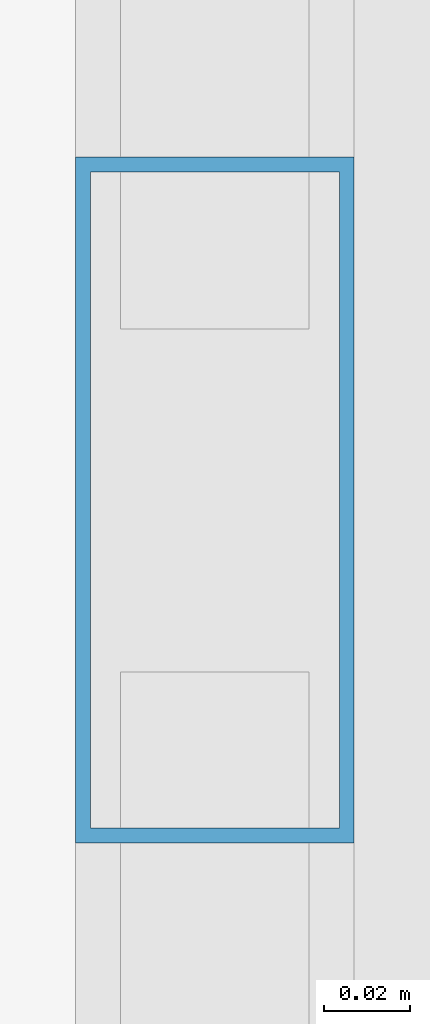
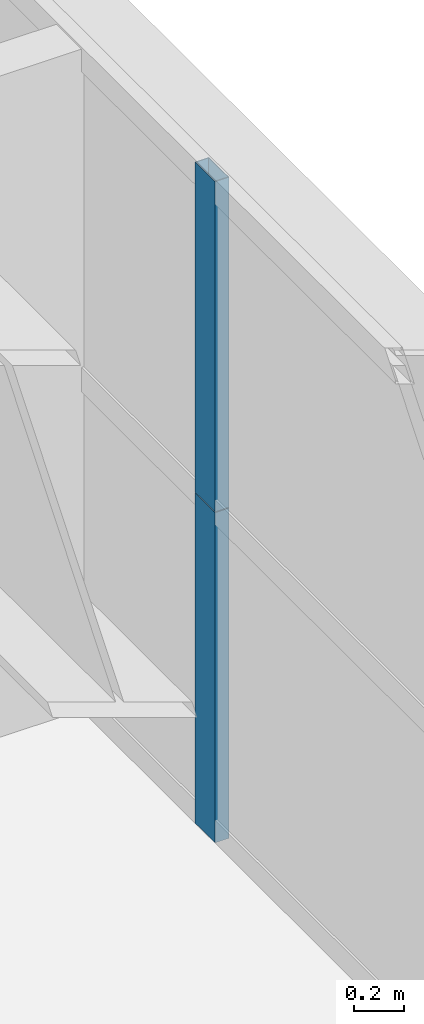
# One storey, part 18 of 39: 2 members, 1 element without a shape of its own.
"""IFC4 building model written with IfcOpenShell, lengths in metres."""

from ifc_helpers import new_model, si_unit, direction, frame, origin, origin_2d, place, context, subcontext, project, spatial, hollow_rectangle, extrude, source, transform, mapped, material, layer, layer_set, material_profile, profile_set, type_object, element, aggregate, save


model = new_model("IFC4")

# Units and contexts
model_context = context("Model", 3, precision=1e-05, world=origin(), true_north=direction((0.0, 1.0)))
body_context = subcontext(model_context, "Body", "Model", "MODEL_VIEW")
ifc_project = project(units=[si_unit("LENGTHUNIT", "METRE"), si_unit("AREAUNIT", "SQUARE_METRE"), si_unit("VOLUMEUNIT", "CUBIC_METRE"), si_unit("PLANEANGLEUNIT", "RADIAN"), si_unit("MASSUNIT", "GRAM", prefix="KILO"), si_unit("THERMODYNAMICTEMPERATUREUNIT", "KELVIN"), si_unit("POWERUNIT", "WATT")], contexts=[model_context])

# Site, building, storey
site_placement = place(None, origin())
site = spatial("IfcSite", under=ifc_project, at=site_placement, CompositionType="ELEMENT")
building_placement = place(site_placement, origin())
building = spatial("IfcBuilding", under=site, at=building_placement, Name="Yuzanri Waterfront Tower", CompositionType="ELEMENT")
storey_placement = place(building_placement, frame((0.0, 0.0, 216.0)))
storey = spatial("IfcBuildingStorey", under=building, at=storey_placement, Name="L57", CompositionType="ELEMENT", Elevation=216.0)

# Curtain wall, members
ifc_material_1 = material(Name="Anodized Architectural Bronze", Category="metal")
ifc_layer = layer(ifc_material_1, 0.159912109375)
ifc_layer_set = layer_set([ifc_layer], Name="Anodized Architectural Bronze")
curtain_wall_type = type_object("IfcCurtainWallType", Name="Anodized Bronze Mid-Rise Residential Acoustic Unitized Curtain Wall 7200", PredefinedType="NOTDEFINED", material=ifc_layer_set)
curtain_wall_placement = place(storey_placement, origin())
curtain_wall = element("IfcCurtainWall", 1, at=curtain_wall_placement, inside=storey, type_object=curtain_wall_type, Name="L57 Curtain Wall CW-L57-EL", PredefinedType="NOTDEFINED")
ifc_material_2 = material(Name="Anodized Architectural Bronze", Category="metal")
ifc_material_profile = material_profile(ifc_material_2, hollow_rectangle(XDim=0.06494140625, YDim=0.159912109375, WallThickness=0.00341796875, at=origin_2d()), Name="CWM 65x160")
ifc_profile_set = profile_set([ifc_material_profile], Name="Anodized Architectural Bronze")
member_type = type_object("IfcMemberType", Name="Anodized Bronze Upper-Zone Curtain-Wall Mullion 65x160", PredefinedType="MULLION", material=ifc_profile_set)
shared_shape = source(origin(), body_context, "Body", "SweptSolid", [
    extrude(hollow_rectangle(XDim=0.06494140625, YDim=0.159912109375, WallThickness=0.00341796875, at=origin_2d()), origin(), (0.0, 0.0, 1.0), 1.60791015625),
])
member_1_placement = place(storey_placement, frame((58.949951171875, 18.22509765625, 0.0), z_axis=(0.0, 0.0, 1.0), x_axis=(1.0, 0.0, 0.0)))
member_1 = element("IfcMember", 2, at=member_1_placement, type_object=member_type, Name="CW-L57-EL Lower Mullion 01", PredefinedType="MULLION", context=body_context, shape_type="MappedRepresentation", body=[
    mapped(shared_shape, transform((0.0, 0.0, 0.0), scale=1.0)),
])
member_2_placement = place(storey_placement, frame((58.949951171875, 18.22509765625, 1.612060546875), z_axis=(0.0, 0.0, 1.0), x_axis=(1.0, 0.0, 0.0)))
member_2 = element("IfcMember", 3, at=member_2_placement, type_object=member_type, Name="CW-L57-EL Upper Mullion 01", PredefinedType="MULLION", context=body_context, shape_type="MappedRepresentation", body=[
    mapped(shared_shape, transform((0.0, 0.0, 0.0), scale=1.0)),
])
aggregate(curtain_wall, [member_1, member_2])

save(model, "model.ifc")
